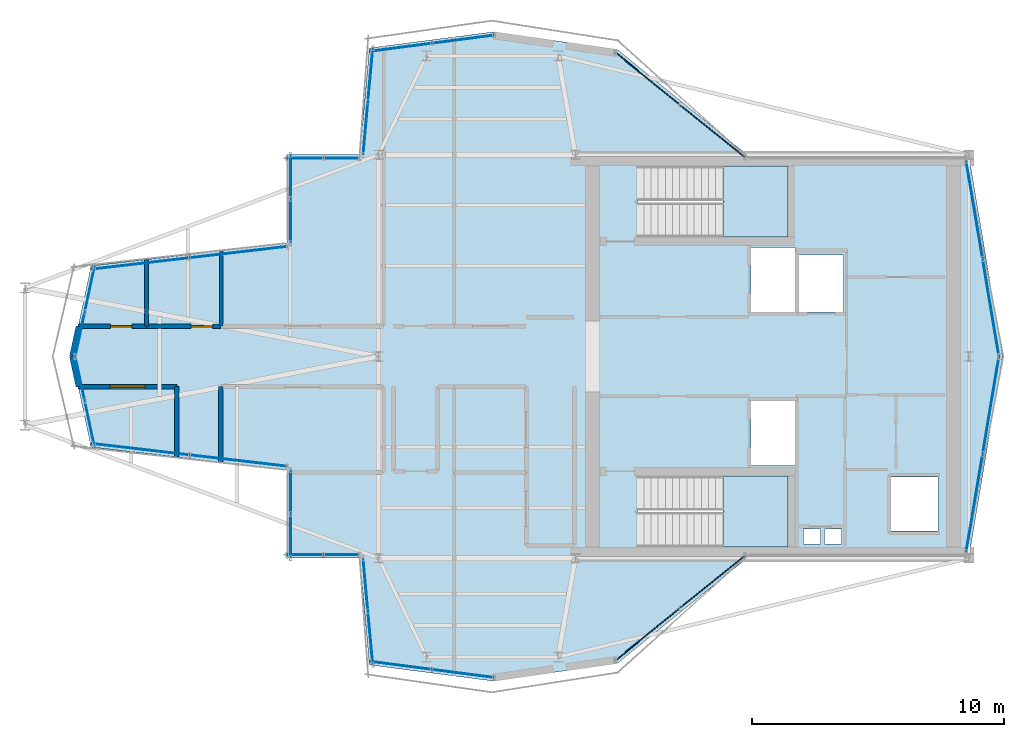
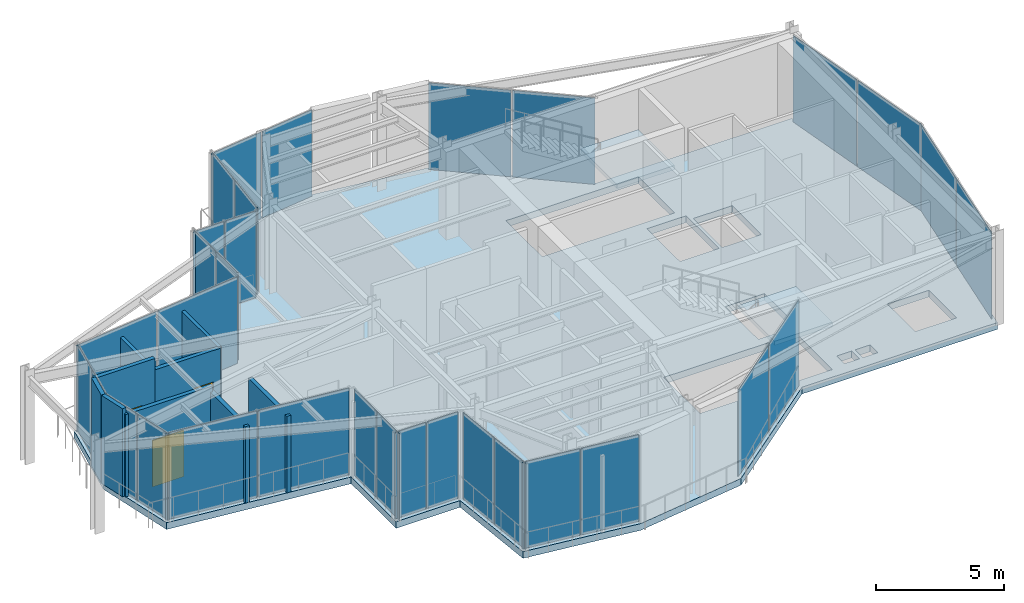
# One storey, part 7 of 14: 32 plates, 9 walls, 3 doors, 3 slabs, 3 openings, 18 elements without a shape of their own.
"""IFC4 building model written with IfcOpenShell, lengths in metres."""

from ifc_helpers import new_model, si_unit, direction, frame, frame_2d, origin, origin_2d, place, context, subcontext, project, spatial, polyline, rectangle, outline, extrude, material, layer, layer_set, type_object, element, fill, aggregate, save


model = new_model("IFC4")

# Units and contexts
model_context = context("Model", 3, precision=1e-05, world=origin(), true_north=direction((0.0, 1.0)))
body_context = subcontext(model_context, "Body", "Model", "MODEL_VIEW")
ifc_project = project(units=[si_unit("LENGTHUNIT", "METRE"), si_unit("AREAUNIT", "SQUARE_METRE"), si_unit("VOLUMEUNIT", "CUBIC_METRE"), si_unit("PLANEANGLEUNIT", "RADIAN"), si_unit("MASSUNIT", "GRAM", prefix="KILO")], contexts=[model_context])

# Site, building, storey
site_placement = place(None, origin())
site = spatial("IfcSite", under=ifc_project, at=site_placement, CompositionType="ELEMENT")
building_placement = place(site_placement, origin())
building = spatial("IfcBuilding", under=site, at=building_placement, Name="Veymaron Broadcast Tower", CompositionType="ELEMENT")
storey_placement = place(building_placement, frame((0.0, 0.0, 332.39990234375)))
storey = spatial("IfcBuildingStorey", under=building, at=storey_placement, Name="L78", CompositionType="ELEMENT", Elevation=332.39990234375)

# Curtain wall, plates
ifc_material_1 = material(Name="Anodised aluminium AA 6063-T6 and laminated low-E dark glass", Category="aluminium")
ifc_layer_1 = layer(ifc_material_1, 0.179931640625)
ifc_layer_set_1 = layer_set([ifc_layer_1], Name="Anodised aluminium AA 6063-T6 and laminated low-E dark glass")
curtain_wall_type = type_object("IfcCurtainWallType", Name="CW-SYS-07", PredefinedType="NOTDEFINED", material=ifc_layer_set_1)
curtain_wall_1_placement = place(storey_placement, origin())
curtain_wall_1 = element("IfcCurtainWall", 1, at=curtain_wall_1_placement, inside=storey, type_object=curtain_wall_type, Name="L78 dark-glass curtain wall CW-L78-E2-1", PredefinedType="NOTDEFINED")
ifc_material_2 = material(Name="Triple-laminated solar-control dark glass IGU 36 mm", Category="glass")
ifc_layer_2 = layer(ifc_material_2, 0.035888671875)
ifc_layer_set_2 = layer_set([ifc_layer_2], Name="Triple-laminated solar-control dark glass IGU 36 mm")
plate_type = type_object("IfcPlateType", Name="CW-PNL-01", PredefinedType="CURTAIN_PANEL", material=ifc_layer_set_2)
plate_1_placement = place(storey_placement, frame((54.82666015625, 18.193603515625, 0.0400390625), z_axis=(0.0, 0.0, 1.0), x_axis=(0.165667274761, 0.98618170439, 0.0)))
plate_1 = element("IfcPlate", 2, at=plate_1_placement, type_object=plate_type, Name="CW-L78-E2-1 unitised curtain panel 0", PredefinedType="CURTAIN_PANEL", context=body_context, shape_type="SweptSolid", body=[
    extrude(rectangle(XDim=3.880859375, YDim=0.035888671875, at=origin_2d()), origin(), (0.0, 0.0, 1.0), 4.10009765625),
])
plate_2_placement = place(storey_placement, frame((55.4794921875, 22.080078125, 0.0400390625), z_axis=(0.0, 0.0, 1.0), x_axis=(0.165667274761, 0.98618170439, 0.0)))
plate_2 = element("IfcPlate", 3, at=plate_2_placement, type_object=plate_type, Name="CW-L78-E2-1 unitised curtain panel 1", PredefinedType="CURTAIN_PANEL", context=body_context, shape_type="SweptSolid", body=[
    extrude(rectangle(XDim=3.880859375, YDim=0.035888671875, at=origin_2d()), origin(), (0.0, 0.0, 1.0), 4.10009765625),
])
aggregate(curtain_wall_1, [plate_1, plate_2])

curtain_wall_2_placement = place(storey_placement, origin())
curtain_wall_2 = element("IfcCurtainWall", 4, at=curtain_wall_2_placement, inside=storey, type_object=curtain_wall_type, Name="L78 dark-glass curtain wall CW-L78-E3-1", PredefinedType="NOTDEFINED")
plate_3_placement = place(storey_placement, frame((55.4794921875, 25.919921875, 0.0400390625), z_axis=(0.0, 0.0, 1.0), x_axis=(-0.165667274761, 0.98618170439, 0.0)))
plate_3 = element("IfcPlate", 5, at=plate_3_placement, type_object=plate_type, Name="CW-L78-E3-1 unitised curtain panel 0", PredefinedType="CURTAIN_PANEL", context=body_context, shape_type="SweptSolid", body=[
    extrude(rectangle(XDim=3.880859375, YDim=0.035888671875, at=origin_2d()), origin(), (0.0, 0.0, 1.0), 4.10009765625),
])
plate_4_placement = place(storey_placement, frame((54.82666015625, 29.806396484375, 0.0400390625), z_axis=(0.0, 0.0, 1.0), x_axis=(-0.165667274761, 0.98618170439, 0.0)))
plate_4 = element("IfcPlate", 6, at=plate_4_placement, type_object=plate_type, Name="CW-L78-E3-1 unitised curtain panel 1", PredefinedType="CURTAIN_PANEL", context=body_context, shape_type="SweptSolid", body=[
    extrude(rectangle(XDim=3.880859375, YDim=0.035888671875, at=origin_2d()), origin(), (0.0, 0.0, 1.0), 4.10009765625),
])
aggregate(curtain_wall_2, [plate_3, plate_4])

curtain_wall_3_placement = place(storey_placement, origin())
curtain_wall_3 = element("IfcCurtainWall", 7, at=curtain_wall_3_placement, inside=storey, type_object=curtain_wall_type, Name="L78 dark-glass curtain wall CW-L78-E5-1", PredefinedType="NOTDEFINED")
plate_5_placement = place(storey_placement, frame((44.439453125, 32.93310546875, 0.0400390625), z_axis=(0.0, 0.0, 1.0), x_axis=(-0.776816343556, 0.629727217439, 0.0)))
plate_5 = element("IfcPlate", 8, at=plate_5_placement, type_object=plate_type, Name="CW-L78-E5-1 unitised curtain panel 0", PredefinedType="CURTAIN_PANEL", context=body_context, shape_type="SweptSolid", body=[
    extrude(rectangle(XDim=3.24951171875, YDim=0.035888671875, at=origin_2d()), origin(), (0.0, 0.0, 1.0), 4.10009765625),
])
plate_6_placement = place(storey_placement, frame((41.868896484375, 35.01708984375, 0.0400390625), z_axis=(0.0, 0.0, 1.0), x_axis=(-0.776816343556, 0.629727217439, 0.0)))
plate_6 = element("IfcPlate", 9, at=plate_6_placement, type_object=plate_type, Name="CW-L78-E5-1 unitised curtain panel 1", PredefinedType="CURTAIN_PANEL", context=body_context, shape_type="SweptSolid", body=[
    extrude(rectangle(XDim=3.24951171875, YDim=0.035888671875, at=origin_2d()), origin(), (0.0, 0.0, 1.0), 4.10009765625),
])
aggregate(curtain_wall_3, [plate_5, plate_6])

curtain_wall_4_placement = place(storey_placement, origin())
curtain_wall_4 = element("IfcCurtainWall", 10, at=curtain_wall_4_placement, inside=storey, type_object=curtain_wall_type, Name="L78 dark-glass curtain wall CW-L78-E7-1", PredefinedType="NOTDEFINED")
plate_7_placement = place(storey_placement, frame((34.540283203125, 36.5732421875, 0.0400390625), z_axis=(0.0, 0.0, 1.0), x_axis=(-0.991644165747, -0.129003288874, 0.0)))
plate_7 = element("IfcPlate", 11, at=plate_7_placement, type_object=plate_type, Name="CW-L78-E7-1 unitised curtain panel 0", PredefinedType="CURTAIN_PANEL", context=body_context, shape_type="SweptSolid", body=[
    extrude(rectangle(XDim=2.42041015625, YDim=0.035888671875, at=origin_2d()), origin(), (0.0, 0.0, 1.0), 4.10009765625),
])
plate_8_placement = place(storey_placement, frame((32.080322265625, 36.253173828125, 0.0400390625), z_axis=(0.0, 0.0, 1.0), x_axis=(-0.991644165747, -0.129003288874, 0.0)))
plate_8 = element("IfcPlate", 12, at=plate_8_placement, type_object=plate_type, Name="CW-L78-E7-1 unitised curtain panel 1", PredefinedType="CURTAIN_PANEL", context=body_context, shape_type="SweptSolid", body=[
    extrude(rectangle(XDim=2.42041015625, YDim=0.035888671875, at=origin_2d()), origin(), (0.0, 0.0, 1.0), 4.10009765625),
])
aggregate(curtain_wall_4, [plate_7, plate_8])

curtain_wall_5_placement = place(storey_placement, origin())
curtain_wall_5 = element("IfcCurtainWall", 13, at=curtain_wall_5_placement, inside=storey, type_object=curtain_wall_type, Name="L78 dark-glass curtain wall CW-L78-E8-1", PredefinedType="NOTDEFINED")
plate_9_placement = place(storey_placement, frame((30.8759765625, 35.161376953125, 0.0400390625), z_axis=(0.0, 0.0, 1.0), x_axis=(-0.090319709419, -0.995912822535, 0.0)))
plate_9 = element("IfcPlate", 14, at=plate_9_placement, type_object=plate_type, Name="CW-L78-E8-1 unitised curtain panel 0", PredefinedType="CURTAIN_PANEL", context=body_context, shape_type="SweptSolid", body=[
    extrude(rectangle(XDim=2.064697265625, YDim=0.035888671875, at=origin_2d()), origin(), (0.0, 0.0, 1.0), 4.10009765625),
])
plate_10_placement = place(storey_placement, frame((30.68408203125, 33.04541015625, 0.0400390625), z_axis=(0.0, 0.0, 1.0), x_axis=(-0.090319709419, -0.995912822535, 0.0)))
plate_10 = element("IfcPlate", 15, at=plate_10_placement, type_object=plate_type, Name="CW-L78-E8-1 unitised curtain panel 1", PredefinedType="CURTAIN_PANEL", context=body_context, shape_type="SweptSolid", body=[
    extrude(rectangle(XDim=2.064697265625, YDim=0.035888671875, at=origin_2d()), origin(), (0.0, 0.0, 1.0), 4.10009765625),
])
aggregate(curtain_wall_5, [plate_9, plate_10])

curtain_wall_6_placement = place(storey_placement, origin())
curtain_wall_6 = element("IfcCurtainWall", 16, at=curtain_wall_6_placement, inside=storey, type_object=curtain_wall_type, Name="L78 dark-glass curtain wall CW-L78-E9-1", PredefinedType="NOTDEFINED")
plate_11_placement = place(storey_placement, frame((29.73046875, 31.860107421875, 0.0400390625), z_axis=(0.0, 0.0, 1.0), x_axis=(-1.0, 0.0, 0.0)))
plate_11 = element("IfcPlate", 17, at=plate_11_placement, type_object=plate_type, Name="CW-L78-E9-1 unitised curtain panel 0", PredefinedType="CURTAIN_PANEL", context=body_context, shape_type="SweptSolid", body=[
    extrude(rectangle(XDim=1.376220703125, YDim=0.035888671875, at=origin_2d()), origin(), (0.0, 0.0, 1.0), 4.10009765625),
])
plate_12_placement = place(storey_placement, frame((28.294189453125, 31.860107421875, 0.0400390625), z_axis=(0.0, 0.0, 1.0), x_axis=(-1.0, 0.0, 0.0)))
plate_12 = element("IfcPlate", 18, at=plate_12_placement, type_object=plate_type, Name="CW-L78-E9-1 unitised curtain panel 1", PredefinedType="CURTAIN_PANEL", context=body_context, shape_type="SweptSolid", body=[
    extrude(rectangle(XDim=1.376220703125, YDim=0.035888671875, at=origin_2d()), origin(), (0.0, 0.0, 1.0), 4.10009765625),
])
aggregate(curtain_wall_6, [plate_11, plate_12])

curtain_wall_7_placement = place(storey_placement, origin())
curtain_wall_7 = element("IfcCurtainWall", 19, at=curtain_wall_7_placement, inside=storey, type_object=curtain_wall_type, Name="L78 dark-glass curtain wall CW-L78-E10-1", PredefinedType="NOTDEFINED")
plate_13_placement = place(storey_placement, frame((27.716064453125, 31.12451171875, 0.0400390625), z_axis=(0.0, 0.0, 1.0), x_axis=(0.0, -1.0, 0.0)))
plate_13 = element("IfcPlate", 20, at=plate_13_placement, type_object=plate_type, Name="CW-L78-E10-1 unitised curtain panel 0", PredefinedType="CURTAIN_PANEL", context=body_context, shape_type="SweptSolid", body=[
    extrude(rectangle(XDim=1.69091796875, YDim=0.035888671875, at=origin_2d()), origin(), (0.0, 0.0, 1.0), 4.10009765625),
])
plate_14_placement = place(storey_placement, frame((27.716064453125, 29.37353515625, 0.0400390625), z_axis=(0.0, 0.0, 1.0), x_axis=(0.0, -1.0, 0.0)))
plate_14 = element("IfcPlate", 21, at=plate_14_placement, type_object=plate_type, Name="CW-L78-E10-1 unitised curtain panel 1", PredefinedType="CURTAIN_PANEL", context=body_context, shape_type="SweptSolid", body=[
    extrude(rectangle(XDim=1.69091796875, YDim=0.035888671875, at=origin_2d()), origin(), (0.0, 0.0, 1.0), 4.10009765625),
])
aggregate(curtain_wall_7, [plate_13, plate_14])

curtain_wall_8_placement = place(storey_placement, origin())
curtain_wall_8 = element("IfcCurtainWall", 22, at=curtain_wall_8_placement, inside=storey, type_object=curtain_wall_type, Name="L78 dark-glass curtain wall CW-L78-E11-1", PredefinedType="NOTDEFINED")
plate_15_placement = place(storey_placement, frame((25.648193359375, 28.13330078125, 0.0400390625), z_axis=(0.0, 0.0, 1.0), x_axis=(-0.993324533692, -0.115353243408, 0.0)))
plate_15 = element("IfcPlate", 23, at=plate_15_placement, type_object=plate_type, Name="CW-L78-E11-1 unitised curtain panel 0", PredefinedType="CURTAIN_PANEL", context=body_context, shape_type="SweptSolid", body=[
    extrude(rectangle(XDim=3.85400390625, YDim=0.035888671875, at=origin_2d()), origin(), (0.0, 0.0, 1.0), 4.10009765625),
])
plate_16_placement = place(storey_placement, frame((21.760009765625, 27.681884765625, 0.0400390625), z_axis=(0.0, 0.0, 1.0), x_axis=(-0.993324533692, -0.115353243408, 0.0)))
plate_16 = element("IfcPlate", 24, at=plate_16_placement, type_object=plate_type, Name="CW-L78-E11-1 unitised curtain panel 1", PredefinedType="CURTAIN_PANEL", context=body_context, shape_type="SweptSolid", body=[
    extrude(rectangle(XDim=3.85400390625, YDim=0.035888671875, at=origin_2d()), origin(), (0.0, 0.0, 1.0), 4.10009765625),
])
aggregate(curtain_wall_8, [plate_15, plate_16])

curtain_wall_9_placement = place(storey_placement, origin())
curtain_wall_9 = element("IfcCurtainWall", 25, at=curtain_wall_9_placement, inside=storey, type_object=curtain_wall_type, Name="L78 dark-glass curtain wall CW-L78-E12-1", PredefinedType="NOTDEFINED")
plate_17_placement = place(storey_placement, frame((19.744873046875, 26.6669921875, 0.0400390625), z_axis=(0.0, 0.0, 1.0), x_axis=(-0.208918822284, -0.977932986301, 0.0)))
plate_17 = element("IfcPlate", 26, at=plate_17_placement, type_object=plate_type, Name="CW-L78-E12-1 unitised curtain panel 0", PredefinedType="CURTAIN_PANEL", context=body_context, shape_type="SweptSolid", body=[
    extrude(rectangle(XDim=1.778076171875, YDim=0.035888671875, at=origin_2d()), origin(), (0.0, 0.0, 1.0), 4.10009765625),
])
plate_18_placement = place(storey_placement, frame((19.36083984375, 24.86962890625, 0.0400390625), z_axis=(0.0, 0.0, 1.0), x_axis=(-0.208918822284, -0.977932986301, 0.0)))
plate_18 = element("IfcPlate", 27, at=plate_18_placement, type_object=plate_type, Name="CW-L78-E12-1 unitised curtain panel 1", PredefinedType="CURTAIN_PANEL", context=body_context, shape_type="SweptSolid", body=[
    extrude(rectangle(XDim=1.778076171875, YDim=0.035888671875, at=origin_2d()), origin(), (0.0, 0.0, 1.0), 4.10009765625),
])
aggregate(curtain_wall_9, [plate_17, plate_18])

curtain_wall_10_placement = place(storey_placement, origin())
curtain_wall_10 = element("IfcCurtainWall", 28, at=curtain_wall_10_placement, inside=storey, type_object=curtain_wall_type, Name="L78 dark-glass curtain wall CW-L78-E13-1", PredefinedType="NOTDEFINED")
plate_19_placement = place(storey_placement, frame((19.36083984375, 23.13037109375, 0.0400390625), z_axis=(0.0, 0.0, 1.0), x_axis=(0.208918822284, -0.977932986301, 0.0)))
plate_19 = element("IfcPlate", 29, at=plate_19_placement, type_object=plate_type, Name="CW-L78-E13-1 unitised curtain panel 0", PredefinedType="CURTAIN_PANEL", context=body_context, shape_type="SweptSolid", body=[
    extrude(rectangle(XDim=1.778076171875, YDim=0.035888671875, at=origin_2d()), origin(), (0.0, 0.0, 1.0), 4.10009765625),
])
plate_20_placement = place(storey_placement, frame((19.744873046875, 21.3330078125, 0.0400390625), z_axis=(0.0, 0.0, 1.0), x_axis=(0.208918822284, -0.977932986301, 0.0)))
plate_20 = element("IfcPlate", 30, at=plate_20_placement, type_object=plate_type, Name="CW-L78-E13-1 unitised curtain panel 1", PredefinedType="CURTAIN_PANEL", context=body_context, shape_type="SweptSolid", body=[
    extrude(rectangle(XDim=1.778076171875, YDim=0.035888671875, at=origin_2d()), origin(), (0.0, 0.0, 1.0), 4.10009765625),
])
aggregate(curtain_wall_10, [plate_19, plate_20])

curtain_wall_11_placement = place(storey_placement, origin())
curtain_wall_11 = element("IfcCurtainWall", 31, at=curtain_wall_11_placement, inside=storey, type_object=curtain_wall_type, Name="L78 dark-glass curtain wall CW-L78-E14-1", PredefinedType="NOTDEFINED")
plate_21_placement = place(storey_placement, frame((21.760009765625, 20.318115234375, 0.0400390625), z_axis=(0.0, 0.0, 1.0), x_axis=(0.993324533692, -0.115353243408, 0.0)))
plate_21 = element("IfcPlate", 32, at=plate_21_placement, type_object=plate_type, Name="CW-L78-E14-1 unitised curtain panel 0", PredefinedType="CURTAIN_PANEL", context=body_context, shape_type="SweptSolid", body=[
    extrude(rectangle(XDim=3.85400390625, YDim=0.035888671875, at=origin_2d()), origin(), (0.0, 0.0, 1.0), 4.10009765625),
])
plate_22_placement = place(storey_placement, frame((25.648193359375, 19.86669921875, 0.0400390625), z_axis=(0.0, 0.0, 1.0), x_axis=(0.993324533692, -0.115353243408, 0.0)))
plate_22 = element("IfcPlate", 33, at=plate_22_placement, type_object=plate_type, Name="CW-L78-E14-1 unitised curtain panel 1", PredefinedType="CURTAIN_PANEL", context=body_context, shape_type="SweptSolid", body=[
    extrude(rectangle(XDim=3.85400390625, YDim=0.035888671875, at=origin_2d()), origin(), (0.0, 0.0, 1.0), 4.10009765625),
])
aggregate(curtain_wall_11, [plate_21, plate_22])

curtain_wall_12_placement = place(storey_placement, origin())
curtain_wall_12 = element("IfcCurtainWall", 34, at=curtain_wall_12_placement, inside=storey, type_object=curtain_wall_type, Name="L78 dark-glass curtain wall CW-L78-E15-1", PredefinedType="NOTDEFINED")
plate_23_placement = place(storey_placement, frame((27.716064453125, 18.62646484375, 0.0400390625), z_axis=(0.0, 0.0, 1.0), x_axis=(0.0, -1.0, 0.0)))
plate_23 = element("IfcPlate", 35, at=plate_23_placement, type_object=plate_type, Name="CW-L78-E15-1 unitised curtain panel 0", PredefinedType="CURTAIN_PANEL", context=body_context, shape_type="SweptSolid", body=[
    extrude(rectangle(XDim=1.69091796875, YDim=0.035888671875, at=origin_2d()), origin(), (0.0, 0.0, 1.0), 4.10009765625),
])
plate_24_placement = place(storey_placement, frame((27.716064453125, 16.87548828125, 0.0400390625), z_axis=(0.0, 0.0, 1.0), x_axis=(0.0, -1.0, 0.0)))
plate_24 = element("IfcPlate", 36, at=plate_24_placement, type_object=plate_type, Name="CW-L78-E15-1 unitised curtain panel 1", PredefinedType="CURTAIN_PANEL", context=body_context, shape_type="SweptSolid", body=[
    extrude(rectangle(XDim=1.69091796875, YDim=0.035888671875, at=origin_2d()), origin(), (0.0, 0.0, 1.0), 4.10009765625),
])
aggregate(curtain_wall_12, [plate_23, plate_24])

curtain_wall_13_placement = place(storey_placement, origin())
curtain_wall_13 = element("IfcCurtainWall", 37, at=curtain_wall_13_placement, inside=storey, type_object=curtain_wall_type, Name="L78 dark-glass curtain wall CW-L78-E16-1", PredefinedType="NOTDEFINED")
plate_25_placement = place(storey_placement, frame((28.294189453125, 16.139892578125, 0.0400390625), z_axis=(0.0, 0.0, 1.0), x_axis=(1.0, 0.0, 0.0)))
plate_25 = element("IfcPlate", 38, at=plate_25_placement, type_object=plate_type, Name="CW-L78-E16-1 unitised curtain panel 0", PredefinedType="CURTAIN_PANEL", context=body_context, shape_type="SweptSolid", body=[
    extrude(rectangle(XDim=1.376220703125, YDim=0.035888671875, at=origin_2d()), origin(), (0.0, 0.0, 1.0), 4.10009765625),
])
plate_26_placement = place(storey_placement, frame((29.73046875, 16.139892578125, 0.0400390625), z_axis=(0.0, 0.0, 1.0), x_axis=(1.0, 0.0, 0.0)))
plate_26 = element("IfcPlate", 39, at=plate_26_placement, type_object=plate_type, Name="CW-L78-E16-1 unitised curtain panel 1", PredefinedType="CURTAIN_PANEL", context=body_context, shape_type="SweptSolid", body=[
    extrude(rectangle(XDim=1.376220703125, YDim=0.035888671875, at=origin_2d()), origin(), (0.0, 0.0, 1.0), 4.10009765625),
])
aggregate(curtain_wall_13, [plate_25, plate_26])

curtain_wall_14_placement = place(storey_placement, origin())
curtain_wall_14 = element("IfcCurtainWall", 40, at=curtain_wall_14_placement, inside=storey, type_object=curtain_wall_type, Name="L78 dark-glass curtain wall CW-L78-E17-1", PredefinedType="NOTDEFINED")
plate_27_placement = place(storey_placement, frame((30.683837890625, 14.95458984375, 0.0400390625), z_axis=(0.0, 0.0, 1.0), x_axis=(0.090319709419, -0.995912822535, 0.0)))
plate_27 = element("IfcPlate", 41, at=plate_27_placement, type_object=plate_type, Name="CW-L78-E17-1 unitised curtain panel 0", PredefinedType="CURTAIN_PANEL", context=body_context, shape_type="SweptSolid", body=[
    extrude(rectangle(XDim=2.064697265625, YDim=0.035888671875, at=origin_2d()), origin(), (0.0, 0.0, 1.0), 4.10009765625),
])
plate_28_placement = place(storey_placement, frame((30.875732421875, 12.838623046875, 0.0400390625), z_axis=(0.0, 0.0, 1.0), x_axis=(0.090319709419, -0.995912822535, 0.0)))
plate_28 = element("IfcPlate", 42, at=plate_28_placement, type_object=plate_type, Name="CW-L78-E17-1 unitised curtain panel 1", PredefinedType="CURTAIN_PANEL", context=body_context, shape_type="SweptSolid", body=[
    extrude(rectangle(XDim=2.064697265625, YDim=0.035888671875, at=origin_2d()), origin(), (0.0, 0.0, 1.0), 4.10009765625),
])
aggregate(curtain_wall_14, [plate_27, plate_28])

curtain_wall_15_placement = place(storey_placement, origin())
curtain_wall_15 = element("IfcCurtainWall", 43, at=curtain_wall_15_placement, inside=storey, type_object=curtain_wall_type, Name="L78 dark-glass curtain wall CW-L78-E18-1", PredefinedType="NOTDEFINED")
plate_29_placement = place(storey_placement, frame((32.080322265625, 11.746826171875, 0.0400390625), z_axis=(0.0, 0.0, 1.0), x_axis=(0.991644165747, -0.129003288874, 0.0)))
plate_29 = element("IfcPlate", 44, at=plate_29_placement, type_object=plate_type, Name="CW-L78-E18-1 unitised curtain panel 0", PredefinedType="CURTAIN_PANEL", context=body_context, shape_type="SweptSolid", body=[
    extrude(rectangle(XDim=2.42041015625, YDim=0.035888671875, at=origin_2d()), origin(), (0.0, 0.0, 1.0), 4.10009765625),
])
plate_30_placement = place(storey_placement, frame((34.540283203125, 11.4267578125, 0.0400390625), z_axis=(0.0, 0.0, 1.0), x_axis=(0.991644165747, -0.129003288874, 0.0)))
plate_30 = element("IfcPlate", 45, at=plate_30_placement, type_object=plate_type, Name="CW-L78-E18-1 unitised curtain panel 1", PredefinedType="CURTAIN_PANEL", context=body_context, shape_type="SweptSolid", body=[
    extrude(rectangle(XDim=2.42041015625, YDim=0.035888671875, at=origin_2d()), origin(), (0.0, 0.0, 1.0), 4.10009765625),
])
aggregate(curtain_wall_15, [plate_29, plate_30])

curtain_wall_16_placement = place(storey_placement, origin())
curtain_wall_16 = element("IfcCurtainWall", 46, at=curtain_wall_16_placement, inside=storey, type_object=curtain_wall_type, Name="L78 dark-glass curtain wall CW-L78-E20-1", PredefinedType="NOTDEFINED")
plate_31_placement = place(storey_placement, frame((41.868896484375, 12.98291015625, 0.0400390625), z_axis=(0.0, 0.0, 1.0), x_axis=(0.776816343556, 0.629727217439, 0.0)))
plate_31 = element("IfcPlate", 47, at=plate_31_placement, type_object=plate_type, Name="CW-L78-E20-1 unitised curtain panel 0", PredefinedType="CURTAIN_PANEL", context=body_context, shape_type="SweptSolid", body=[
    extrude(rectangle(XDim=3.24951171875, YDim=0.035888671875, at=origin_2d()), origin(), (0.0, 0.0, 1.0), 4.10009765625),
])
plate_32_placement = place(storey_placement, frame((44.439453125, 15.06689453125, 0.0400390625), z_axis=(0.0, 0.0, 1.0), x_axis=(0.776816343556, 0.629727217439, 0.0)))
plate_32 = element("IfcPlate", 48, at=plate_32_placement, type_object=plate_type, Name="CW-L78-E20-1 unitised curtain panel 1", PredefinedType="CURTAIN_PANEL", context=body_context, shape_type="SweptSolid", body=[
    extrude(rectangle(XDim=3.24951171875, YDim=0.035888671875, at=origin_2d()), origin(), (0.0, 0.0, 1.0), 4.10009765625),
])
aggregate(curtain_wall_16, [plate_31, plate_32])

# Slab
ifc_material_3 = material(Name="Concrete C40/50", Category="concrete")
ifc_layer_3 = layer(ifc_material_3, 0.320068359375)
ifc_layer_set_3 = layer_set([ifc_layer_3], Name="Concrete C40/50")
slab_type_1 = type_object("IfcSlabType", Name="SLAB-FS2", PredefinedType="FLOOR", material=ifc_layer_set_3)
slab_1_placement = place(storey_placement, frame((0.0, 0.0, -0.31982421875)))
element("IfcSlab", 49, at=slab_1_placement, inside=storey, type_object=slab_type_1, Name="L78 structural floor slab", PredefinedType="FLOOR", context=body_context, shape_type="SweptSolid", body=[
    extrude(outline(polyline([(45.81298828125, 16.0), (54.60009765625, 16.0), (55.944091796875, 24.0), (54.60009765625, 32.0), (45.81298828125, 32.0), (40.671630859375, 36.16796875), (35.751953125, 36.8720703125), (30.83251953125, 36.23193359375), (30.448486328125, 32.0), (27.575927734375, 32.0), (27.575927734375, 28.498046875), (19.800048828125, 27.59521484375), (19.031982421875, 24.0), (19.800048828125, 20.40478515625), (27.575927734375, 19.501953125), (27.575927734375, 16.0), (30.448486328125, 16.0), (30.83251953125, 11.76806640625), (35.751953125, 11.1279296875), (40.671630859375, 11.83203125), (45.81298828125, 16.0)]), holes=[polyline([(45.969970703125, 28.330078125), (47.72998046875, 28.330078125), (47.72998046875, 25.77001953125), (45.969970703125, 25.77001953125), (45.969970703125, 28.330078125)]), polyline([(45.969970703125, 22.22998046875), (47.72998046875, 22.22998046875), (47.72998046875, 19.669921875), (45.969970703125, 19.669921875), (45.969970703125, 22.22998046875)]), polyline([(47.8701171875, 28.030029296875), (49.6298828125, 28.030029296875), (49.6298828125, 25.77001953125), (47.8701171875, 25.77001953125), (47.8701171875, 28.030029296875)]), polyline([(51.52001953125, 19.22998046875), (53.3798828125, 19.22998046875), (53.3798828125, 17.070068359375), (51.52001953125, 17.070068359375), (51.52001953125, 19.22998046875)]), polyline([(48.050048828125, 17.159912109375), (48.719970703125, 17.159912109375), (48.719970703125, 16.56005859375), (48.050048828125, 16.56005859375), (48.050048828125, 17.159912109375)]), polyline([(48.8798828125, 17.159912109375), (49.550048828125, 17.159912109375), (49.550048828125, 16.56005859375), (48.8798828125, 16.56005859375), (48.8798828125, 17.159912109375)]), polyline([(41.489990234375, 31.550048828125), (47.43994140625, 31.550048828125), (47.43994140625, 28.72998046875), (41.489990234375, 28.72998046875), (41.489990234375, 31.550048828125)]), polyline([(41.489990234375, 19.27001953125), (47.43994140625, 19.27001953125), (47.43994140625, 16.449951171875), (41.489990234375, 16.449951171875), (41.489990234375, 19.27001953125)])]), origin(), (0.0, 0.0, 1.0), 0.31982421875),
])

# Stair, slab
ifc_material_4 = material(Name="Concrete C50/60", Category="concrete")
stair_type_1 = type_object("IfcStairType", Name="STAIR-CORE-1", PredefinedType="HALF_TURN_STAIR", material=ifc_material_4)
stair_1_placement = place(storey_placement, origin())
stair_1 = element("IfcStair", 50, at=stair_1_placement, inside=storey, type_object=stair_type_1, Name="L78 North protected dog-leg exit stair ST1", PredefinedType="HALF_TURN_STAIR")
ifc_layer_4 = layer(ifc_material_4, 0.199951171875)
ifc_layer_set_4 = layer_set([ifc_layer_4], Name="Concrete C50/60")
slab_type_2 = type_object("IfcSlabType", Name="SLAB-STAIR-LDG", PredefinedType="LANDING", material=ifc_layer_set_4)
slab_2_placement = place(storey_placement, frame((0.0, 0.0, 2.050048828125)))
slab_2 = element("IfcSlab", 51, at=slab_2_placement, type_object=slab_type_2, Name="ST1 landing 1", PredefinedType="LANDING", context=body_context, shape_type="SweptSolid", body=[
    extrude(outline(polyline([(44.85009765625, 28.72998046875), (47.43994140625, 28.72998046875), (47.43994140625, 31.550048828125), (44.85009765625, 31.550048828125), (44.85009765625, 28.72998046875)])), origin(), (0.0, 0.0, 1.0), 0.199951171875),
])
aggregate(stair_1, [slab_2])

stair_type_2 = type_object("IfcStairType", Name="STAIR-CORE-2", PredefinedType="HALF_TURN_STAIR", material=ifc_material_4)
stair_2_placement = place(storey_placement, origin())
stair_2 = element("IfcStair", 52, at=stair_2_placement, inside=storey, type_object=stair_type_2, Name="L78 South protected dog-leg exit stair ST2", PredefinedType="HALF_TURN_STAIR")
slab_3_placement = place(storey_placement, frame((0.0, 0.0, 2.050048828125)))
slab_3 = element("IfcSlab", 53, at=slab_3_placement, type_object=slab_type_2, Name="ST2 landing 1", PredefinedType="LANDING", context=body_context, shape_type="SweptSolid", body=[
    extrude(outline(polyline([(44.85009765625, 16.449951171875), (47.43994140625, 16.449951171875), (47.43994140625, 19.27001953125), (44.85009765625, 19.27001953125), (44.85009765625, 16.449951171875)])), origin(), (0.0, 0.0, 1.0), 0.199951171875),
])
aggregate(stair_2, [slab_3])

# Wall, opening, door
ifc_layer_5 = layer(ifc_material_3, 0.179931640625)
ifc_layer_set_5 = layer_set([ifc_layer_5], Name="Concrete C40/50")
wall_type_1 = type_object("IfcWallType", Name="WALL-FIRE-180", PredefinedType="SOLIDWALL", material=ifc_layer_set_5)
wall_1_placement = place(storey_placement, frame((19.288330078125, 22.800048828125, 0.0), z_axis=(0.0, 0.0, 1.0), x_axis=(1.0, 0.0, 0.0)))
wall_1 = element("IfcWall", 54, at=wall_1_placement, inside=storey, type_object=wall_type_1, Name="L78 partition IW-L78-P12", PredefinedType="SOLIDWALL", context=body_context, shape_type="SweptSolid", body=[
    extrude(rectangle(XDim=3.91162109375, YDim=0.179931640625, at=frame_2d((1.955810546875, 0.0))), origin(), (0.0, 0.0, 1.0), 3.91015625),
])
opening_1_placement = place(wall_1_placement, frame((1.255859375, 0.0, 0.0)))
opening_1 = element("IfcOpeningElement", 55, at=opening_1_placement, cuts=wall_1, Name="Opening ID-PL1", PredefinedType="OPENING", context=body_context, shape_type="SweptSolid", body=[
    extrude(rectangle(XDim=1.39990234375, YDim=2.199951171875, at=frame_2d((0.699951171875, 1.10009765625))), frame((0.0, 0.10009765625, 0.0), z_axis=(0.0, -1.0, 0.0), x_axis=(1.0, 0.0, 0.0)), (0.0, 0.0, 1.0), 0.199951171875),
])
ifc_material_5 = material(Name="Heavy-duty acoustic galvanized steel", Category="steel")
door_type_1 = type_object("IfcDoorType", Name="DOOR-PLANT-1400", OperationType="DOUBLE_DOOR_SINGLE_SWING", PredefinedType="DOOR", material=ifc_material_5)
door_1_placement = place(opening_1_placement, frame((1.39990234375, 0.0, 0.0), z_axis=(0.0, 0.0, 1.0), x_axis=(-1.0, 0.0, 0.0)))
door_1 = element("IfcDoor", 56, at=door_1_placement, inside=storey, type_object=door_type_1, Name="L78 door DR-L78-P12", OperationType="SINGLE_SWING_LEFT", OverallHeight=2.199951171875, OverallWidth=1.39990234375, PredefinedType="DOOR", context=body_context, shape_type="SweptSolid", body=[
    extrude(rectangle(XDim=1.39990234375, YDim=2.199951171875, at=frame_2d((0.699951171875, 1.10009765625))), frame((0.0, 0.02490234375, 0.0), z_axis=(0.0, -1.0, 0.0), x_axis=(1.0, 0.0, 0.0)), (0.0, 0.0, 1.0), 0.050048828125),
])
fill(opening_1, door_1)

wall_2_placement = place(storey_placement, frame((19.288330078125, 25.199951171875, 0.0), z_axis=(0.0, 0.0, 1.0), x_axis=(1.0, 0.0, 0.0)))
wall_2 = element("IfcWall", 57, at=wall_2_placement, inside=storey, type_object=wall_type_1, Name="L78 partition IW-L78-P15", PredefinedType="SOLIDWALL", context=body_context, shape_type="SweptSolid", body=[
    extrude(rectangle(XDim=2.711669921875, YDim=0.179931640625, at=frame_2d((1.35595703125, 0.0))), origin(), (0.0, 0.0, 1.0), 4.18017578125),
])
opening_2_placement = place(wall_2_placement, frame((1.291015625, 0.0, 0.0)))
opening_2 = element("IfcOpeningElement", 58, at=opening_2_placement, cuts=wall_2, Name="Opening ID-WC1", PredefinedType="OPENING", context=body_context, shape_type="SweptSolid", body=[
    extrude(rectangle(XDim=0.85009765625, YDim=2.14990234375, at=frame_2d((0.425048828125, 1.074951171875))), frame((0.0, 0.10009765625, 0.0), z_axis=(0.0, -1.0, 0.0), x_axis=(1.0, 0.0, 0.0)), (0.0, 0.0, 1.0), 0.199951171875),
])
ifc_material_6 = material(Name="Moisture-resistant high-pressure laminate timber", Category="wood")
door_type_2 = type_object("IfcDoorType", Name="DOOR-INT-850", OperationType="NOTDEFINED", PredefinedType="DOOR", material=ifc_material_6)
door_2_placement = place(opening_2_placement, origin())
door_2 = element("IfcDoor", 59, at=door_2_placement, inside=storey, type_object=door_type_2, Name="L78 door DR-L78-P15", OperationType="SINGLE_SWING_RIGHT", OverallHeight=2.14990234375, OverallWidth=0.85009765625, PredefinedType="DOOR", context=body_context, shape_type="SweptSolid", body=[
    extrude(rectangle(XDim=0.85009765625, YDim=2.14990234375, at=frame_2d((0.425048828125, 1.074951171875))), frame((0.0, 0.02490234375, 0.0), z_axis=(0.0, -1.0, 0.0), x_axis=(1.0, 0.0, 0.0)), (0.0, 0.0, 1.0), 0.050048828125),
])
fill(opening_2, door_2)

wall_3_placement = place(storey_placement, frame((22.0, 25.199951171875, 0.0), z_axis=(0.0, 0.0, 1.0), x_axis=(1.0, 0.0, 0.0)))
wall_3 = element("IfcWall", 60, at=wall_3_placement, inside=storey, type_object=wall_type_1, Name="L78 partition IW-L78-P17", PredefinedType="SOLIDWALL", context=body_context, shape_type="SweptSolid", body=[
    extrude(rectangle(XDim=2.949951171875, YDim=0.179931640625, at=frame_2d((1.47509765625, 0.0))), origin(), (0.0, 0.0, 1.0), 3.64013671875),
])
opening_3_placement = place(wall_3_placement, frame((1.77001953125, 0.0, 0.0)))
opening_3 = element("IfcOpeningElement", 61, at=opening_3_placement, cuts=wall_3, Name="Opening ID-WC1", PredefinedType="OPENING", context=body_context, shape_type="SweptSolid", body=[
    extrude(rectangle(XDim=0.85009765625, YDim=2.14990234375, at=frame_2d((0.425048828125, 1.074951171875))), frame((0.0, 0.10009765625, 0.0), z_axis=(0.0, -1.0, 0.0), x_axis=(1.0, 0.0, 0.0)), (0.0, 0.0, 1.0), 0.199951171875),
])
door_3_placement = place(opening_3_placement, origin())
door_3 = element("IfcDoor", 62, at=door_3_placement, inside=storey, type_object=door_type_2, Name="L78 door DR-L78-P17", OperationType="SINGLE_SWING_RIGHT", OverallHeight=2.14990234375, OverallWidth=0.85009765625, PredefinedType="DOOR", context=body_context, shape_type="SweptSolid", body=[
    extrude(rectangle(XDim=0.85009765625, YDim=2.14990234375, at=frame_2d((0.425048828125, 1.074951171875))), frame((0.0, 0.02490234375, 0.0), z_axis=(0.0, -1.0, 0.0), x_axis=(1.0, 0.0, 0.0)), (0.0, 0.0, 1.0), 0.050048828125),
])
fill(opening_3, door_3)

# Walls
wall_4_placement = place(storey_placement, frame((24.949951171875, 19.806884765625, 0.0), z_axis=(0.0, 0.0, 1.0), x_axis=(0.0, 1.0, 0.0)))
element("IfcWall", 63, at=wall_4_placement, inside=storey, type_object=wall_type_1, Name="L78 partition IW-L78-P11", PredefinedType="SOLIDWALL", context=body_context, shape_type="SweptSolid", body=[
    extrude(rectangle(XDim=2.9931640625, YDim=0.179931640625, at=frame_2d((1.49658203125, 0.0))), origin(), (0.0, 0.0, 1.0), 3.64013671875),
])
wall_5_placement = place(storey_placement, frame((23.199951171875, 20.010009765625, 0.0), z_axis=(0.0, 0.0, 1.0), x_axis=(0.0, 1.0, 0.0)))
element("IfcWall", 64, at=wall_5_placement, inside=storey, type_object=wall_type_1, Name="L78 partition IW-L78-P13", PredefinedType="SOLIDWALL", context=body_context, shape_type="SweptSolid", body=[
    extrude(rectangle(XDim=2.7900390625, YDim=0.179931640625, at=frame_2d((1.39501953125, 0.0))), origin(), (0.0, 0.0, 1.0), 3.64013671875),
])
for number, where, z_axis, x_axis, name in (
    (65, (19.031982421875, 24.0, 0.0), (0.0, 0.0, 1.0), (0.208917581669, -0.977933251336, 0.0), "L78 partition IW-L78-P14"),
    (66, (19.031982421875, 24.0, 0.0), (0.0, 0.0, 1.0), (0.208917581669, 0.977933251336, 0.0), "L78 partition IW-L78-P16"),
):
    element("IfcWall", number, at=place(storey_placement, frame(where, z_axis=z_axis, x_axis=x_axis)), inside=storey, type_object=wall_type_1, Name=name, PredefinedType="SOLIDWALL", context=body_context, shape_type="SweptSolid", body=[
        extrude(rectangle(XDim=1.22705078125, YDim=0.179931640625, at=frame_2d((0.613525390625, 0.0))), origin(), (0.0, 0.0, 1.0), 4.18017578125),
    ])
ifc_material_7 = material(Name="Fire-rated laminated glass in aluminium frame", Category="aluminium")
ifc_layer_6 = layer(ifc_material_7, 0.14990234375)
ifc_layer_set_6 = layer_set([ifc_layer_6], Name="Fire-rated laminated glass in aluminium frame")
wall_type_2 = type_object("IfcWallType", Name="WALL-GLZ-150", PredefinedType="MOVABLE", material=ifc_layer_set_6)
wall_6_placement = place(storey_placement, frame((22.0, 25.199951171875, 0.0), z_axis=(0.0, 0.0, 1.0), x_axis=(0.0, 1.0, 0.0)))
element("IfcWall", 67, at=wall_6_placement, inside=storey, type_object=wall_type_2, Name="L78 partition IW-L78-P27", PredefinedType="MOVABLE", context=body_context, shape_type="SweptSolid", body=[
    extrude(rectangle(XDim=2.650634765625, YDim=0.14990234375, at=frame_2d((1.3251953125, 0.0))), origin(), (0.0, 0.0, 1.0), 3.64013671875),
])
wall_7_placement = place(storey_placement, frame((24.9599609375, 25.199951171875, 0.0), z_axis=(0.0, 0.0, 1.0), x_axis=(0.0, 1.0, 0.0)))
element("IfcWall", 68, at=wall_7_placement, inside=storey, type_object=wall_type_2, Name="L78 partition IW-L78-P28", PredefinedType="MOVABLE", context=body_context, shape_type="SweptSolid", body=[
    extrude(rectangle(XDim=2.994384765625, YDim=0.14990234375, at=frame_2d((1.4970703125, 0.0))), origin(), (0.0, 0.0, 1.0), 3.64013671875),
])

save(model, "model.ifc")
